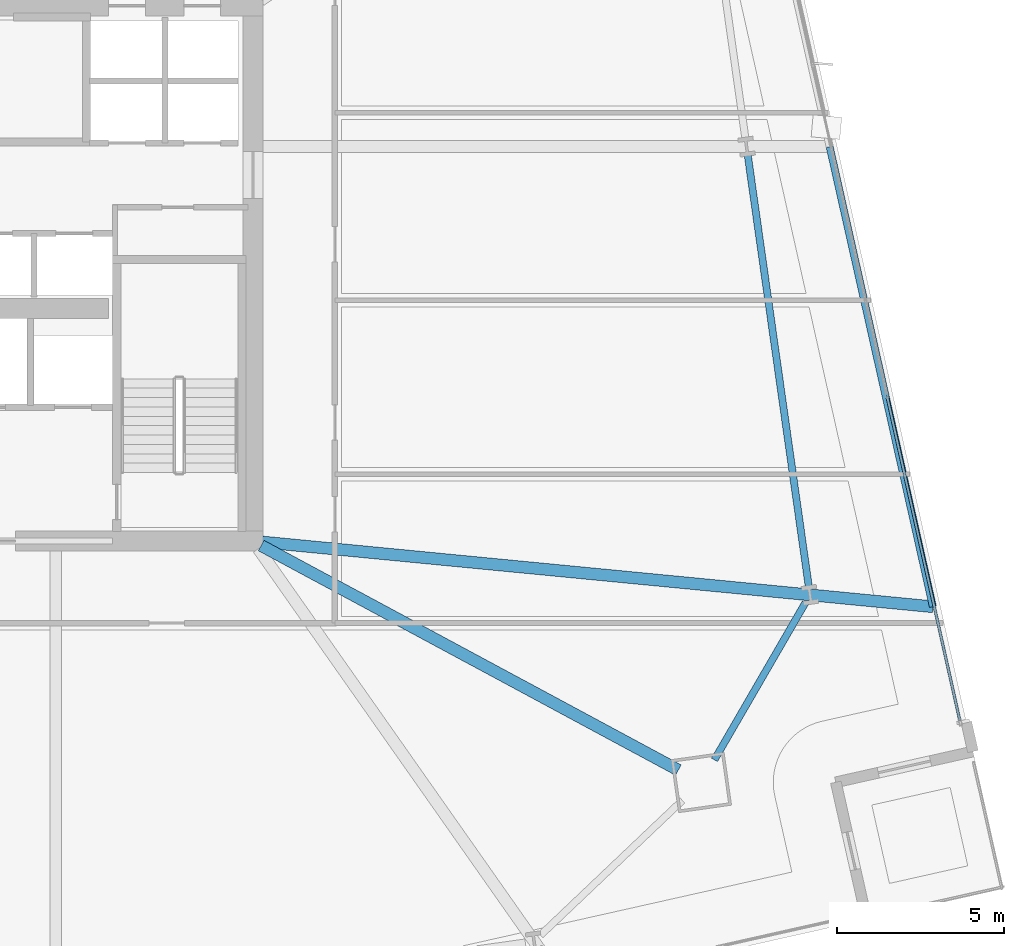
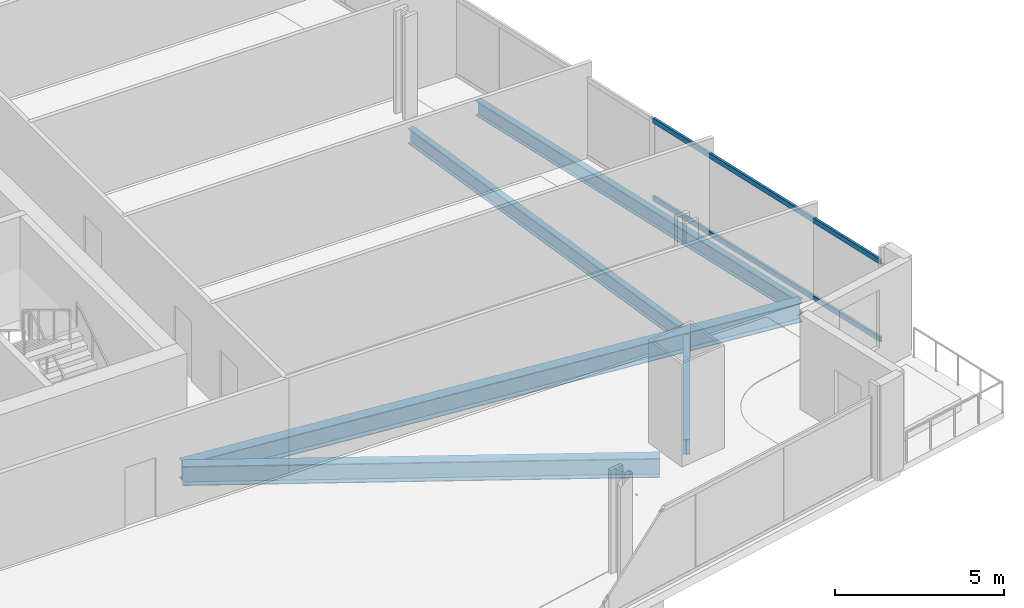
# One storey, part 10 of 32: 5 beams, 2 members, 1 element without a shape of its own.
"""IFC4 building model written with IfcOpenShell, lengths in metres."""

from ifc_helpers import new_model, si_unit, direction, frame, origin, origin_2d, place, context, subcontext, project, spatial, hollow_rectangle, i_section, extrude, material, material_profile, profile_set, type_object, element, aggregate, save


model = new_model("IFC4")

# Units and contexts
model_context = context("Model", 3, precision=1e-05, world=origin(), true_north=direction((0.0, 1.0)))
body_context = subcontext(model_context, "Body", "Model", "MODEL_VIEW")
ifc_project = project(units=[si_unit("LENGTHUNIT", "METRE"), si_unit("AREAUNIT", "SQUARE_METRE"), si_unit("VOLUMEUNIT", "CUBIC_METRE"), si_unit("PLANEANGLEUNIT", "RADIAN"), si_unit("MASSUNIT", "GRAM", prefix="KILO")], contexts=[model_context])

# Site, building, storey
site_placement = place(None, origin())
site = spatial("IfcSite", under=ifc_project, at=site_placement, CompositionType="ELEMENT")
building_placement = place(site_placement, origin())
building = spatial("IfcBuilding", under=site, at=building_placement, Name="Haldenkirk Collegiate Tower", CompositionType="ELEMENT")
storey_placement = place(building_placement, frame((0.0, 0.0, 70.199951171875)))
storey = spatial("IfcBuildingStorey", under=building, at=storey_placement, Name="L16", CompositionType="ELEMENT", Elevation=70.199951171875)

# Beams
ifc_material_1 = material(Name="Steel ASTM A992 Grade 50", Category="steel")
ifc_material_profile_1 = material_profile(ifc_material_1, i_section(OverallWidth=0.35498046875, OverallDepth=0.696044921875, WebThickness=0.015380859375, FlangeThickness=0.02490234375, at=origin_2d()), Name="W27X146")
ifc_profile_set_1 = profile_set([ifc_material_profile_1], Name="Steel ASTM A992 Grade 50")
beam_type_1 = type_object("IfcBeamType", Name="BM-GIRDER-W27X146", PredefinedType="BEAM", material=ifc_profile_set_1)
beam_1_placement = place(storey_placement, frame((57.71435546875, 11.15673828125, -0.657958984375), z_axis=(-0.880558564783, 0.473937352386, 0.0), x_axis=(-0.473937352386, -0.880558564783, 0.0)))
element("IfcBeam", 1, at=beam_1_placement, inside=storey, type_object=beam_type_1, Name="L16 primary floor girder 02", PredefinedType="BEAM", context=body_context, shape_type="SweptSolid", body=[
    extrude(i_section(OverallWidth=0.35498046875, OverallDepth=0.696044921875, WebThickness=0.015380859375, FlangeThickness=0.02490234375, at=origin_2d()), origin(), (0.0, 0.0, 1.0), 14.158935546875),
])
beam_2_placement = place(storey_placement, frame((65.323486328125, 16.0380859375, -0.657958984375), z_axis=(-0.995372595767, 0.096090559347, 0.0), x_axis=(-0.096090559347, -0.995372595767, 0.0)))
element("IfcBeam", 2, at=beam_2_placement, inside=storey, type_object=beam_type_1, Name="L16 primary floor girder 08", PredefinedType="BEAM", context=body_context, shape_type="SweptSolid", body=[
    extrude(i_section(OverallWidth=0.35498046875, OverallDepth=0.696044921875, WebThickness=0.015380859375, FlangeThickness=0.02490234375, at=origin_2d()), origin(), (0.0, 0.0, 1.0), 20.137939453125),
])
ifc_material_profile_2 = material_profile(ifc_material_1, i_section(OverallWidth=0.2119140625, OverallDepth=0.5439453125, WebThickness=0.01318359375, FlangeThickness=0.021240234375, at=origin_2d()), Name="W21X83")
ifc_profile_set_2 = profile_set([ifc_material_profile_2], Name="Steel ASTM A992 Grade 50")
beam_type_2 = type_object("IfcBeamType", Name="BM-SPANDREL-W21X83", PredefinedType="SPANDREL", material=ifc_profile_set_2)
beam_3_placement = place(storey_placement, frame((58.7919921875, 11.462158203125, -0.58203125), z_axis=(0.50120629055, 0.865327830543, 0.0), x_axis=(-0.865327830543, 0.50120629055, 0.0)))
element("IfcBeam", 3, at=beam_3_placement, inside=storey, type_object=beam_type_2, Name="L16 perimeter spandrel beam 05", PredefinedType="SPANDREL", context=body_context, shape_type="SweptSolid", body=[
    extrude(i_section(OverallWidth=0.2119140625, OverallDepth=0.5439453125, WebThickness=0.01318359375, FlangeThickness=0.021240234375, at=origin_2d()), origin(), (0.0, 0.0, 1.0), 5.43359375),
])
beam_4_placement = place(storey_placement, frame((61.611083984375, 16.65478515625, -0.58203125), z_axis=(-0.140040904101, 0.990145719164, 0.0), x_axis=(-0.990145719164, -0.140040904101, 0.0)))
element("IfcBeam", 4, at=beam_4_placement, inside=storey, type_object=beam_type_2, Name="L16 perimeter spandrel beam 06", PredefinedType="SPANDREL", context=body_context, shape_type="SweptSolid", body=[
    extrude(i_section(OverallWidth=0.2119140625, OverallDepth=0.5439453125, WebThickness=0.01318359375, FlangeThickness=0.021240234375, at=origin_2d()), origin(), (0.0, 0.0, 1.0), 13.000244140625),
])
beam_5_placement = place(storey_placement, frame((65.323486328125, 16.0380859375, -0.58203125), z_axis=(-0.218989873926, 0.975727131486, 0.0), x_axis=(-0.975727131486, -0.218989873926, 0.0)))
element("IfcBeam", 5, at=beam_5_placement, inside=storey, type_object=beam_type_2, Name="L16 outer facade edge beam 2A", PredefinedType="SPANDREL", context=body_context, shape_type="SweptSolid", body=[
    extrude(i_section(OverallWidth=0.2119140625, OverallDepth=0.5439453125, WebThickness=0.01318359375, FlangeThickness=0.021240234375, at=origin_2d()), origin(), (0.0, 0.0, 1.0), 14.0927734375),
])

# Curtain wall, members
ifc_material_2 = material(Name="Anodised architectural bronze aluminium", Category="aluminium")
curtain_wall_type = type_object("IfcCurtainWallType", Name="CW-SYS1-CONVEX-LOW", PredefinedType="USERDEFINED", material=ifc_material_2)
curtain_wall_placement = place(storey_placement, origin())
curtain_wall = element("IfcCurtainWall", 6, at=curtain_wall_placement, inside=storey, type_object=curtain_wall_type, Name="L16 Lower tower convex bronze-framed unitised curtain wall", ObjectType="UNITISED CURTAIN WALL", PredefinedType="USERDEFINED")
ifc_material_profile_3 = material_profile(ifc_material_2, hollow_rectangle(XDim=0.080078125, YDim=0.179931640625, WallThickness=0.0048828125, at=origin_2d()), Name="CW-TRN-1A")
ifc_profile_set_3 = profile_set([ifc_material_profile_3], Name="Anodised architectural bronze aluminium")
member_type = type_object("IfcMemberType", Name="CW-TRN-1A", PredefinedType="USERDEFINED", material=ifc_profile_set_3)
member_1_placement = place(storey_placement, frame((63.950927734375, 22.3359375, 0.0400390625), z_axis=(0.218993047581, -0.975726419193, 0.0), x_axis=(0.975726419193, 0.218993047581, 0.0)))
member_1 = element("IfcMember", 7, at=member_1_placement, type_object=member_type, Name="CW-1A transom 4.1", ObjectType="TRANSOM", PredefinedType="USERDEFINED", context=body_context, shape_type="SweptSolid", body=[
    extrude(hollow_rectangle(XDim=0.080078125, YDim=0.179931640625, WallThickness=0.0048828125, at=origin_2d()), origin(), (0.0, 0.0, 1.0), 9.94873046875),
])
member_2_placement = place(storey_placement, frame((63.950927734375, 22.3359375, 2.85107421875), z_axis=(0.218993047581, -0.975726419193, 0.0), x_axis=(0.975726419193, 0.218993047581, 0.0)))
member_2 = element("IfcMember", 8, at=member_2_placement, type_object=member_type, Name="CW-1A transom 4.2", ObjectType="TRANSOM", PredefinedType="USERDEFINED", context=body_context, shape_type="SweptSolid", body=[
    extrude(hollow_rectangle(XDim=0.080078125, YDim=0.179931640625, WallThickness=0.0048828125, at=origin_2d()), origin(), (0.0, 0.0, 1.0), 9.94873046875),
])
aggregate(curtain_wall, [member_1, member_2])

save(model, "model.ifc")
